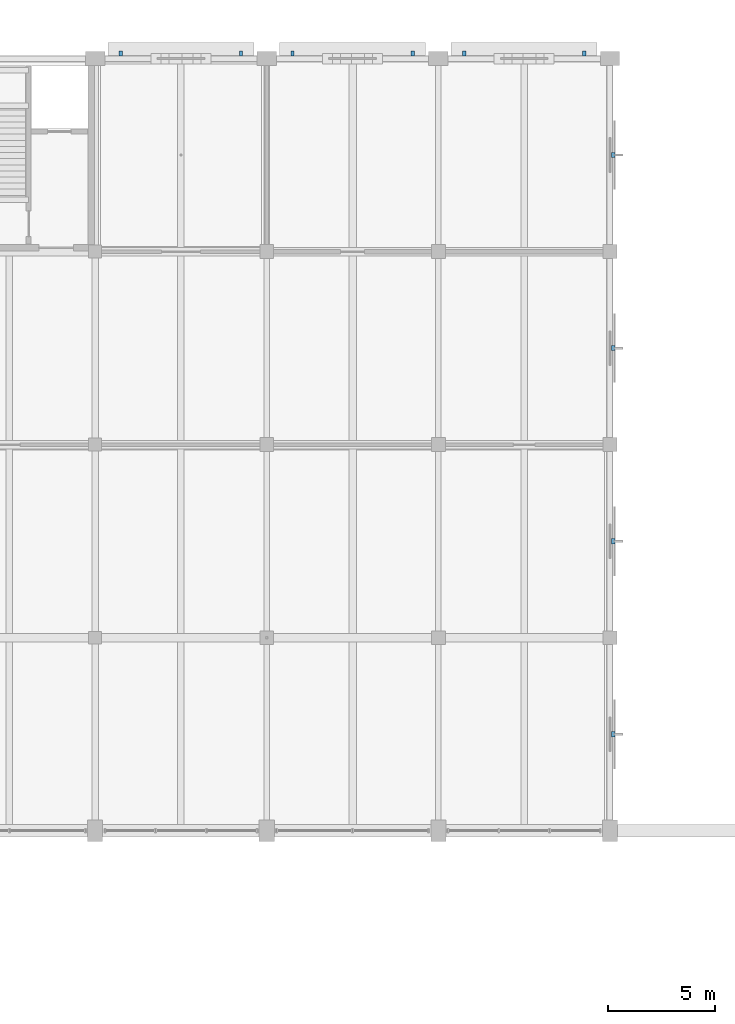
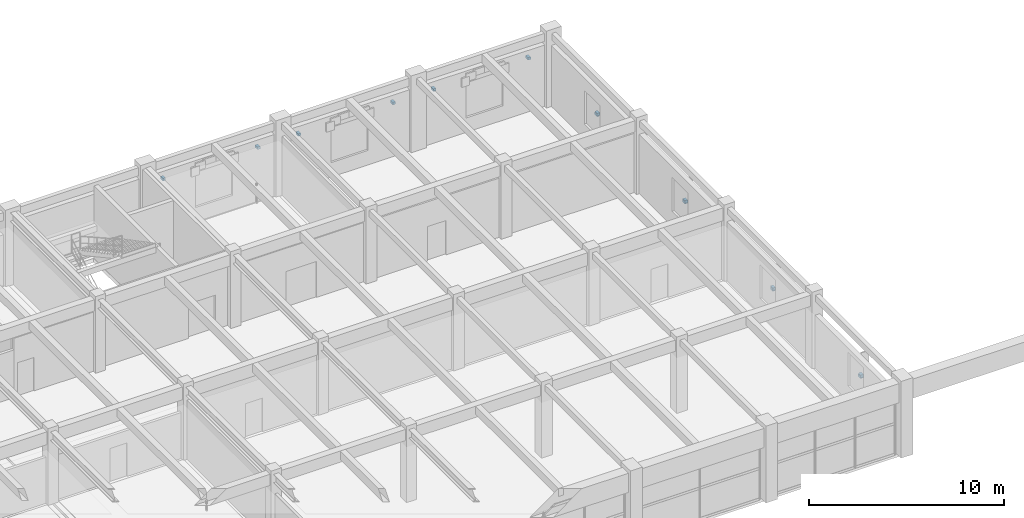
# One storey, part 134 of 144: 14 discrete accessories.
"""IFC4 building model written with IfcOpenShell, lengths in metres."""

from ifc_helpers import new_model, si_unit, direction, frame, origin, origin_2d, place, context, subcontext, project, spatial, rectangle, extrude, material, layer, layer_set, type_object, element, save


model = new_model("IFC4")

# Units and contexts
model_context = context("Model", 3, precision=1e-05, world=origin(), true_north=direction((0.0, 1.0)))
body_context = subcontext(model_context, "Body", "Model", "MODEL_VIEW")
ifc_project = project(units=[si_unit("LENGTHUNIT", "METRE"), si_unit("AREAUNIT", "SQUARE_METRE"), si_unit("VOLUMEUNIT", "CUBIC_METRE"), si_unit("PLANEANGLEUNIT", "RADIAN"), si_unit("MASSUNIT", "GRAM", prefix="KILO")], contexts=[model_context])

# Site, building, storey
site_placement = place(None, origin())
site = spatial("IfcSite", under=ifc_project, at=site_placement, CompositionType="ELEMENT")
building_placement = place(site_placement, origin())
building = spatial("IfcBuilding", under=site, at=building_placement, Name="Varnabhumi Central Station", CompositionType="ELEMENT")
storey_placement = place(building_placement, frame((0.0, 0.0, 4.800048828125)))
storey = spatial("IfcBuildingStorey", under=building, at=storey_placement, Name="L01", CompositionType="ELEMENT", Elevation=4.800048828125)

# Discrete accessories
ifc_material = material(Name="Structural steel E350", Category="steel")
ifc_layer = layer(ifc_material, 0.159912109375, Name="Structural steel E350", Category="steel")
ifc_layer_set = layer_set([ifc_layer], Name="Structural steel E350")
discrete_accessory_type = type_object("IfcDiscreteAccessoryType", Name="ACC-SHADE-BRKT", PredefinedType="BRACKET", material=ifc_layer_set)
for number, where, z_axis, x_axis, name in (
    (1, (137.199951171875, 116.22998046875, 3.02001953125), (0.0, 0.0, 1.0), (1.0, 0.0, 0.0), "Chajja Bracket N-L01-18L"),
    (2, (142.800048828125, 116.22998046875, 3.02001953125), (0.0, 0.0, 1.0), (1.0, 0.0, 0.0), "Chajja Bracket N-L01-18R"),
    (3, (145.199951171875, 116.22998046875, 3.02001953125), (0.0, 0.0, 1.0), (1.0, 0.0, 0.0), "Chajja Bracket N-L01-19L"),
    (4, (150.800048828125, 116.22998046875, 3.02001953125), (0.0, 0.0, 1.0), (1.0, 0.0, 0.0), "Chajja Bracket N-L01-19R"),
    (5, (153.199951171875, 116.22998046875, 3.02001953125), (0.0, 0.0, 1.0), (1.0, 0.0, 0.0), "Chajja Bracket N-L01-20L"),
    (6, (158.800048828125, 116.22998046875, 3.02001953125), (0.0, 0.0, 1.0), (1.0, 0.0, 0.0), "Chajja Bracket N-L01-20R"),
    (7, (160.14990234375, 84.5, 1.8701171875), (0.0, 0.0, 1.0), (1.0, 0.0, 0.0), "Celosia Bracket N-L01-W1"),
    (8, (160.14990234375, 93.5, 1.8701171875), (0.0, 0.0, 1.0), (1.0, 0.0, 0.0), "Celosia Bracket N-L01-W2"),
    (9, (160.14990234375, 102.5, 1.8701171875), (0.0, 0.0, 1.0), (1.0, 0.0, 0.0), "Celosia Bracket N-L01-W3"),
    (10, (160.14990234375, 111.5, 1.8701171875), (0.0, 0.0, 1.0), (1.0, 0.0, 0.0), "Celosia Bracket N-L01-W4"),
    (11, (160.159912109375, 84.5, 1.919921875), (0.0, 0.0, 1.0), (1.0, 0.0, 0.0), "West Louver Fin Bracket 5"),
    (12, (160.159912109375, 93.5, 1.919921875), (0.0, 0.0, 1.0), (1.0, 0.0, 0.0), "West Louver Fin Bracket 6"),
    (13, (160.159912109375, 102.5, 1.919921875), (0.0, 0.0, 1.0), (1.0, 0.0, 0.0), "West Louver Fin Bracket 7"),
    (14, (160.159912109375, 111.5, 1.919921875), (0.0, 0.0, 1.0), (1.0, 0.0, 0.0), "West Louver Fin Bracket 8"),
):
    element("IfcDiscreteAccessory", number, at=place(storey_placement, frame(where, z_axis=z_axis, x_axis=x_axis)), inside=storey, type_object=discrete_accessory_type, Name=name, PredefinedType="BRACKET", context=body_context, shape_type="SweptSolid", body=[
        extrude(rectangle(XDim=0.159912109375, YDim=0.239990234375, at=origin_2d()), origin(), (0.0, 0.0, 1.0), 0.159912109375),
    ])

save(model, "model.ifc")
